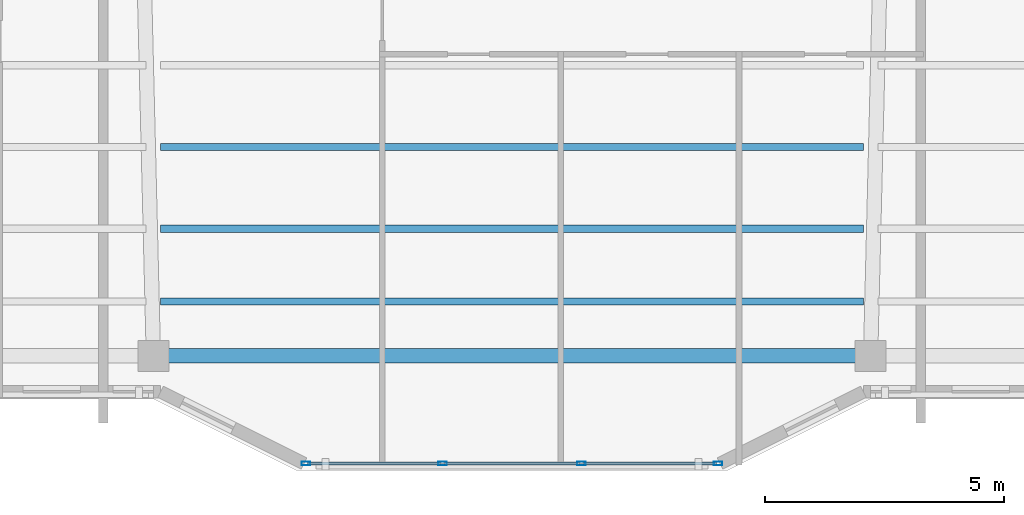
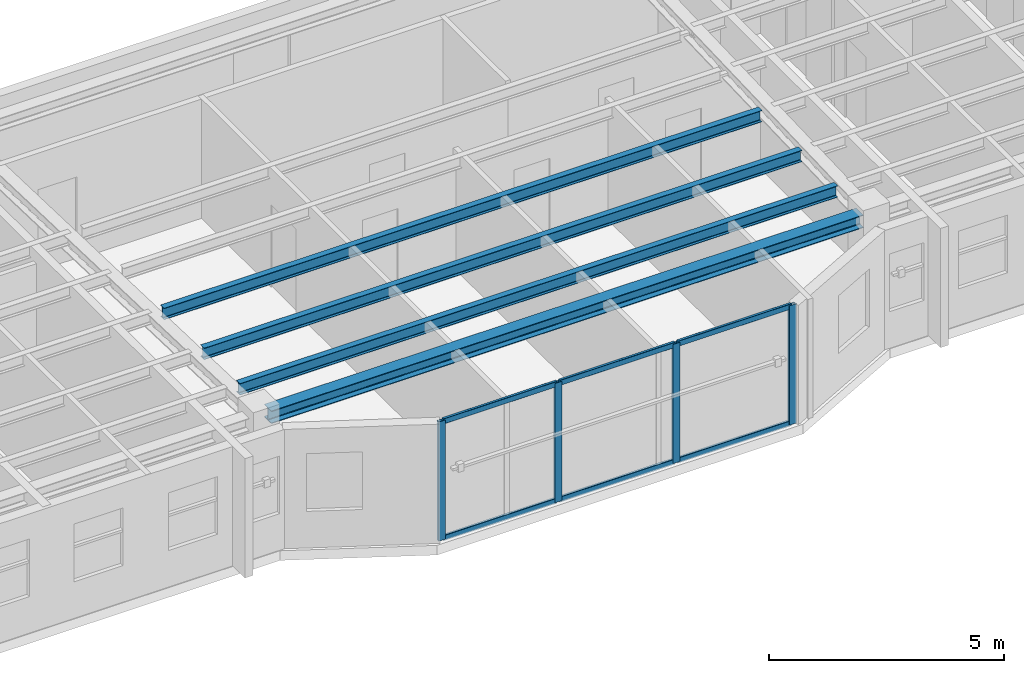
# One storey, part 2 of 14: 10 members, 4 beams, 1 element without a shape of its own.
"""IFC4 building model written with IfcOpenShell, lengths in metres."""

import ifcopenshell
import ifcopenshell.guid

model = None  # the IFC model being written
_history = None  # IfcOwnerHistory: only IFC2X3 demands one
_inside = {}  # id of a spatial element -> (the spatial element, [elements in it])
_under = {}  # id of a project, library or spatial element -> (it, [spatial elements below it])
_declared = {}  # id of a project -> (the project, [libraries it declares])
_typed = {}  # id of a type object -> (the type object, [elements of that type])
_made_of = {}  # id of a material, layer set ... -> (it, [elements and type objects made of it])


def new_model(schema):
    """Start an empty IFC model of exactly this schema.

    Asked for "IFC4X3", IfcOpenShell would pick the latest addendum, in which some entities
    have other attributes; the version numbers below select the first issue.
    IFC2X3 requires an IfcOwnerHistory on every rooted entity: one is made here for all.
    """
    global model, _history
    if schema == "IFC4X3":
        model = ifcopenshell.file(schema_version=(4, 3, 0, 0))
    else:
        model = ifcopenshell.file(schema=schema)
    _inside.clear()
    _under.clear()
    _declared.clear()
    _typed.clear()
    _made_of.clear()
    _history = None
    if model.schema == "IFC2X3":
        org = make("IfcOrganization", Name="unknown")
        user = make(
            "IfcPersonAndOrganization",
            ThePerson=make("IfcPerson", FamilyName="unknown"),
            TheOrganization=org,
        )
        app = make(
            "IfcApplication",
            ApplicationDeveloper=org,
            Version="unknown",
            ApplicationFullName="unknown",
            ApplicationIdentifier="unknown",
        )
        _history = make(
            "IfcOwnerHistory",
            OwningUser=user,
            OwningApplication=app,
            ChangeAction="ADDED",
            CreationDate=0,
        )
    return model


def make(cls, **values):
    """One entity of the class cls with the attributes given. An attribute that is None is left unset."""
    return model.create_entity(
        cls, **{name: value for name, value in values.items() if value is not None}
    )


def rooted(cls, **values):
    """An entity with a GlobalId (a new one), such as an element, a storey or a relation."""
    return make(cls, GlobalId=ifcopenshell.guid.new(), OwnerHistory=_history, **values)


def si_unit(unit_type, name, prefix=None):
    """IfcSIUnit, for example si_unit("LENGTHUNIT", "METRE", prefix="MILLI")."""
    return make("IfcSIUnit", UnitType=unit_type, Prefix=prefix, Name=name)


def assignment(units):
    """IfcUnitAssignment: the units of a project."""
    return None if units is None else make("IfcUnitAssignment", Units=units)


def point(xyz):
    """IfcCartesianPoint."""
    return None if xyz is None else make("IfcCartesianPoint", Coordinates=xyz)


def direction(xyz):
    """IfcDirection."""
    return None if xyz is None else make("IfcDirection", DirectionRatios=xyz)


def frame(location, z_axis=None, x_axis=None):
    """IfcAxis2Placement3D, a coordinate frame: its origin and axes. An axis left out is left unset."""
    return make(
        "IfcAxis2Placement3D",
        Location=point(location),
        Axis=direction(z_axis),
        RefDirection=direction(x_axis),
    )


def frame_2d(location, x_axis=None):
    """IfcAxis2Placement2D, a coordinate frame in the plane: its origin and x axis."""
    return make(
        "IfcAxis2Placement2D", Location=point(location), RefDirection=direction(x_axis)
    )


def origin():
    """The frame at (0, 0, 0) with its axes left unset."""
    return frame((0.0, 0.0, 0.0))


def origin_2d():
    """The frame at (0, 0) in the plane with its x axis left unset."""
    return frame_2d((0.0, 0.0))


def place(relative_to, where):
    """IfcLocalPlacement: puts the frame where relative to a parent placement (None: the world)."""
    return make(
        "IfcLocalPlacement", PlacementRelTo=relative_to, RelativePlacement=where
    )


def context(
    kind, dimensions, precision=None, world=None, true_north=None, identifier=None
):
    """IfcGeometricRepresentationContext, for example the 3D "Model" context."""
    return make(
        "IfcGeometricRepresentationContext",
        ContextIdentifier=identifier,
        ContextType=kind,
        CoordinateSpaceDimension=dimensions,
        Precision=precision,
        WorldCoordinateSystem=world,
        TrueNorth=true_north,
    )


def subcontext(parent, identifier, kind, view, scale=None):
    """IfcGeometricRepresentationSubContext, for example "Body" below "Model"."""
    return make(
        "IfcGeometricRepresentationSubContext",
        ContextIdentifier=identifier,
        ContextType=kind,
        ParentContext=parent,
        TargetScale=scale,
        TargetView=view,
    )


def project(units=None, contexts=None):
    """IfcProject with its units and contexts."""
    return rooted(
        "IfcProject",
        Name="project",
        RepresentationContexts=contexts,
        UnitsInContext=assignment(units),
    )


def spatial(cls, under=None, at=None, **own):
    """A site, building, storey or space (cls), placed at a placement, below another one or the project."""
    s = rooted(cls, ObjectPlacement=at, **own)
    if under is not None:
        _under.setdefault(under.id(), (under, []))[1].append(s)
    return s


def profile(cls, at=None, kind="AREA", **sizes):
    """A parametric profile (cls). Its sizes go by their IFC names, for example OverallWidth=200.0."""
    return make(cls, ProfileType=kind, Position=at, **sizes)


def hollow_rectangle(**sizes):
    """IfcRectangleHollowProfileDef."""
    return profile("IfcRectangleHollowProfileDef", **sizes)


def i_section(**sizes):
    """IfcIShapeProfileDef."""
    return profile("IfcIShapeProfileDef", **sizes)


def extrude(swept, where, along, depth):
    """IfcExtrudedAreaSolid: the profile swept, set in the frame where, extruded along a direction by depth."""
    return make(
        "IfcExtrudedAreaSolid",
        SweptArea=swept,
        Position=where,
        ExtrudedDirection=direction(along),
        Depth=depth,
    )


def shape(context_of_items, identifier, shape_type, items):
    """IfcShapeRepresentation: the items that make up one representation, for example the "Body"."""
    return make(
        "IfcShapeRepresentation",
        ContextOfItems=context_of_items,
        RepresentationIdentifier=identifier,
        RepresentationType=shape_type,
        Items=items,
    )


def material(Name=None, Category=None):
    """IfcMaterial."""
    return make("IfcMaterial", Name=Name, Category=Category)


def layer(
    of_material, thickness, ventilated=None, Name=None, Category=None, Priority=None
):
    """IfcMaterialLayer: one layer of a wall or slab, of a material (None: an air gap)."""
    return make(
        "IfcMaterialLayer",
        Material=of_material,
        LayerThickness=thickness,
        IsVentilated=ventilated,
        Name=Name,
        Category=Category,
        Priority=Priority,
    )


def layer_set(layers, Name=None):
    """IfcMaterialLayerSet."""
    return make("IfcMaterialLayerSet", MaterialLayers=layers, LayerSetName=Name)


def material_profile(
    of_material, cross_section, Name=None, Category=None, Priority=None
):
    """IfcMaterialProfile: a cross section and its material."""
    return make(
        "IfcMaterialProfile",
        Name=Name,
        Material=of_material,
        Profile=cross_section,
        Priority=Priority,
        Category=Category,
    )


def profile_set(profiles, Name=None, composite=None):
    """IfcMaterialProfileSet."""
    return make(
        "IfcMaterialProfileSet",
        Name=Name,
        MaterialProfiles=profiles,
        CompositeProfile=composite,
    )


def made_of(thing, what):
    """Note that an element or type object is made of a material, layer set ...; save() writes the relation."""
    if what is not None:
        _made_of.setdefault(what.id(), (what, []))[1].append(thing)
    return thing


def type_object(cls, material=None, **own):
    """A type object (cls), such as IfcWallType, which elements share."""
    return made_of(rooted(cls, **own), material)


def element(
    cls,
    number,
    at=None,
    inside=None,
    cuts=None,
    type_object=None,
    material=None,
    context=None,
    identifier="Body",
    shape_type=None,
    held_by="IfcProductDefinitionShape",
    body=None,
    shapes=None,
    **own,
):
    """One element of the class cls, such as IfcWall. Its Tag is "e" and its number.

    at: its placement. inside: the storey or other place that contains it. cuts: it is an
    opening in that element (IfcRelVoidsElement). A single representation is given by context,
    identifier, shape_type and body (its items); several are given by shapes. held_by: the class
    of the entity that holds the representations. save() writes the other relations.
    """
    e = rooted(cls, Tag="e%d" % number, ObjectPlacement=at, **own)
    if body is not None:
        shapes = [shape(context, identifier, shape_type, body)]
    if shapes is not None:
        e.Representation = make(held_by, Representations=shapes)
    if inside is not None:
        _inside.setdefault(inside.id(), (inside, []))[1].append(e)
    if cuts is not None:
        rooted(
            "IfcRelVoidsElement", RelatingBuildingElement=cuts, RelatedOpeningElement=e
        )
    if type_object is not None:
        _typed.setdefault(type_object.id(), (type_object, []))[1].append(e)
    return made_of(e, material)


def aggregate(whole, parts):
    """IfcRelAggregates: a whole, such as a stair, and the parts it consists of."""
    return rooted("IfcRelAggregates", RelatingObject=whole, RelatedObjects=parts)


def save(model, path):
    """Write the relations noted so far, then the file.

    IfcRelAggregates (storeys below a building ...), IfcRelContainedInSpatialStructure (elements
    in a storey), IfcRelDefinesByType, IfcRelAssociatesMaterial and IfcRelDeclares: one each for
    every whole, place, type object, material and project.
    """
    for whole, parts in _under.values():
        aggregate(whole, parts)
    for where, things in _inside.values():
        rooted(
            "IfcRelContainedInSpatialStructure",
            RelatedElements=things,
            RelatingStructure=where,
        )
    for kind, things in _typed.values():
        rooted("IfcRelDefinesByType", RelatedObjects=things, RelatingType=kind)
    for what, things in _made_of.values():
        rooted("IfcRelAssociatesMaterial", RelatedObjects=things, RelatingMaterial=what)
    for by, libraries in _declared.values():
        rooted("IfcRelDeclares", RelatingContext=by, RelatedDefinitions=libraries)
    model.write(path)


model = new_model("IFC4")

# Units and contexts
model_context = context("Model", 3, precision=1e-05, world=origin(), true_north=direction((0.0, 1.0)))
body_context = subcontext(model_context, "Body", "Model", "MODEL_VIEW")
ifc_project = project(units=[si_unit("LENGTHUNIT", "METRE"), si_unit("AREAUNIT", "SQUARE_METRE"), si_unit("VOLUMEUNIT", "CUBIC_METRE"), si_unit("PLANEANGLEUNIT", "RADIAN"), si_unit("MASSUNIT", "GRAM", prefix="KILO")], contexts=[model_context])

# Site, building, storey
site_placement = place(None, origin())
site = spatial("IfcSite", under=ifc_project, at=site_placement, CompositionType="ELEMENT")
building_placement = place(site_placement, origin())
building = spatial("IfcBuilding", under=site, at=building_placement, Name="Tarnavaz Court Tower", CompositionType="ELEMENT")
storey_placement = place(building_placement, frame((0.0, 0.0, 261.60009765625)))
storey = spatial("IfcBuildingStorey", under=building, at=storey_placement, Name="L71", CompositionType="ELEMENT", Elevation=261.60009765625)

# Beams
ifc_material_1 = material(Name="Steel S355", Category="steel")
ifc_material_profile_1 = material_profile(ifc_material_1, i_section(OverallWidth=0.14990234375, OverallDepth=0.300048828125, WebThickness=0.007080078125, FlangeThickness=0.0107421875, FilletRadius=0.014892578125, at=origin_2d()), Name="IPE 300")
ifc_profile_set_1 = profile_set([ifc_material_profile_1], Name="Steel S355")
beam_type_1 = type_object("IfcBeamType", Name="BM-J-IPE300", PredefinedType="JOIST", material=ifc_profile_set_1)
for number, where, z_axis, x_axis, name in (
    (1, (-7.35009765625, -15.72998046875, 2.949951171875), (1.0, 0.0, 0.0), (0.0, 1.0, 0.0), "L71 Beam JS3-2"),
    (2, (-7.35009765625, -17.43994140625, 2.949951171875), (1.0, 0.0, 0.0), (0.0, 1.0, 0.0), "L71 Beam JS4-2"),
    (3, (-7.35009765625, -18.9599609375, 2.949951171875), (1.0, 0.0, 0.0), (0.0, 1.0, 0.0), "L71 Beam JS5-2"),
):
    element("IfcBeam", number, at=place(storey_placement, frame(where, z_axis=z_axis, x_axis=x_axis)), inside=storey, type_object=beam_type_1, Name=name, PredefinedType="JOIST", context=body_context, shape_type="SweptSolid", body=[
        extrude(i_section(OverallWidth=0.14990234375, OverallDepth=0.300048828125, WebThickness=0.007080078125, FlangeThickness=0.0107421875, FilletRadius=0.014892578125, at=origin_2d()), origin(), (0.0, 0.0, 1.0), 14.7001953125),
    ])
ifc_material_profile_2 = material_profile(ifc_material_1, i_section(OverallWidth=0.300048828125, OverallDepth=0.330078125, WebThickness=0.009521484375, FlangeThickness=0.0166015625, FilletRadius=0.027099609375, at=origin_2d()), Name="HEA 340")
ifc_profile_set_2 = profile_set([ifc_material_profile_2], Name="Steel S355")
beam_type_2 = type_object("IfcBeamType", Name="BM-SP-HEA340", PredefinedType="BEAM", material=ifc_profile_set_2)
beam_placement = place(storey_placement, frame((-7.280029296875, -20.10009765625, 2.934814453125), z_axis=(1.0, 0.0, 0.0), x_axis=(0.0, 1.0, 0.0)))
element("IfcBeam", 4, at=beam_placement, inside=storey, type_object=beam_type_2, Name="L71 Beam PR-PS-2-PS-3", PredefinedType="BEAM", context=body_context, shape_type="SweptSolid", body=[
    extrude(i_section(OverallWidth=0.300048828125, OverallDepth=0.330078125, WebThickness=0.009521484375, FlangeThickness=0.0166015625, FilletRadius=0.027099609375, at=origin_2d()), origin(), (0.0, 0.0, 1.0), 14.56005859375),
])

# Curtain wall, members
ifc_material_2 = material(Name="Anodised Aluminium 6063-T6 and Solar Low-E Glazing", Category="aluminium")
ifc_layer = layer(ifc_material_2, 0.159912109375)
ifc_layer_set = layer_set([ifc_layer], Name="Anodised Aluminium 6063-T6 and Solar Low-E Glazing")
curtain_wall_type = type_object("IfcCurtainWallType", Name="CW-SYS-03", PredefinedType="NOTDEFINED", material=ifc_layer_set)
curtain_wall_placement = place(storey_placement, origin())
curtain_wall = element("IfcCurtainWall", 5, at=curtain_wall_placement, inside=storey, type_object=curtain_wall_type, Name="L71 Iwan Prow Curtain Wall 17", PredefinedType="NOTDEFINED")
ifc_material_3 = material(Name="Anodised Aluminium 6063-T6", Category="aluminium")
ifc_material_profile_3 = material_profile(ifc_material_3, hollow_rectangle(XDim=0.074951171875, YDim=0.179931640625, WallThickness=0.0048828125, InnerFilletRadius=0.0048828125, OuterFilletRadius=0.010009765625, at=origin_2d()), Name="ALU RHS 180X75X5")
ifc_profile_set_3 = profile_set([ifc_material_profile_3], Name="Anodised Aluminium 6063-T6")
member_type_1 = type_object("IfcMemberType", Name="CW-MUL-180", PredefinedType="MULLION", material=ifc_profile_set_3)
member_1_placement = place(storey_placement, frame((4.3125, -22.35009765625, 0.0), z_axis=(0.0, 0.0, 1.0), x_axis=(0.0, -1.0, 0.0)))
member_1 = element("IfcMember", 6, at=member_1_placement, type_object=member_type_1, Name="CW mullion 1", PredefinedType="MULLION", context=body_context, shape_type="SweptSolid", body=[
    extrude(hollow_rectangle(XDim=0.074951171875, YDim=0.179931640625, WallThickness=0.0048828125, InnerFilletRadius=0.0048828125, OuterFilletRadius=0.010009765625, at=origin_2d()), origin(), (0.0, 0.0, 1.0), 3.099853515625),
])
member_2_placement = place(storey_placement, frame((1.449951171875, -22.35009765625, 0.0), z_axis=(0.0, 0.0, 1.0), x_axis=(0.0, -1.0, 0.0)))
member_2 = element("IfcMember", 7, at=member_2_placement, type_object=member_type_1, Name="CW mullion 2", PredefinedType="MULLION", context=body_context, shape_type="SweptSolid", body=[
    extrude(hollow_rectangle(XDim=0.074951171875, YDim=0.179931640625, WallThickness=0.0048828125, InnerFilletRadius=0.0048828125, OuterFilletRadius=0.010009765625, at=origin_2d()), origin(), (0.0, 0.0, 1.0), 3.099853515625),
])
member_3_placement = place(storey_placement, frame((-1.449951171875, -22.35009765625, 0.0), z_axis=(0.0, 0.0, 1.0), x_axis=(0.0, -1.0, 0.0)))
member_3 = element("IfcMember", 8, at=member_3_placement, type_object=member_type_1, Name="CW mullion 3", PredefinedType="MULLION", context=body_context, shape_type="SweptSolid", body=[
    extrude(hollow_rectangle(XDim=0.074951171875, YDim=0.179931640625, WallThickness=0.0048828125, InnerFilletRadius=0.0048828125, OuterFilletRadius=0.010009765625, at=origin_2d()), origin(), (0.0, 0.0, 1.0), 3.099853515625),
])
member_4_placement = place(storey_placement, frame((-4.3125, -22.35009765625, 0.0), z_axis=(0.0, 0.0, 1.0), x_axis=(0.0, -1.0, 0.0)))
member_4 = element("IfcMember", 9, at=member_4_placement, type_object=member_type_1, Name="CW mullion 4", PredefinedType="MULLION", context=body_context, shape_type="SweptSolid", body=[
    extrude(hollow_rectangle(XDim=0.074951171875, YDim=0.179931640625, WallThickness=0.0048828125, InnerFilletRadius=0.0048828125, OuterFilletRadius=0.010009765625, at=origin_2d()), origin(), (0.0, 0.0, 1.0), 3.099853515625),
])
ifc_material_profile_4 = material_profile(ifc_material_3, hollow_rectangle(XDim=0.06494140625, YDim=0.139892578125, WallThickness=0.00390625, InnerFilletRadius=0.00390625, OuterFilletRadius=0.008056640625, at=origin_2d()), Name="ALU RHS 140X65X4")
ifc_profile_set_4 = profile_set([ifc_material_profile_4], Name="Anodised Aluminium 6063-T6")
member_type_2 = type_object("IfcMemberType", Name="CW-TRN-140", PredefinedType="USERDEFINED", material=ifc_profile_set_4)
member_5_placement = place(storey_placement, frame((4.27490234375, -22.35009765625, 0.032470703125), z_axis=(-1.0, 0.0, 0.0), x_axis=(0.0, -1.0, 0.0)))
member_5 = element("IfcMember", 10, at=member_5_placement, type_object=member_type_2, Name="CW transom 1.1", ObjectType="TRANSOM", PredefinedType="USERDEFINED", context=body_context, shape_type="SweptSolid", body=[
    extrude(hollow_rectangle(XDim=0.06494140625, YDim=0.139892578125, WallThickness=0.00390625, InnerFilletRadius=0.00390625, OuterFilletRadius=0.008056640625, at=origin_2d()), origin(), (0.0, 0.0, 1.0), 2.787353515625),
])
member_6_placement = place(storey_placement, frame((4.27490234375, -22.35009765625, 3.0673828125), z_axis=(-1.0, 0.0, 0.0), x_axis=(0.0, -1.0, 0.0)))
member_6 = element("IfcMember", 11, at=member_6_placement, type_object=member_type_2, Name="CW transom 1.2", ObjectType="TRANSOM", PredefinedType="USERDEFINED", context=body_context, shape_type="SweptSolid", body=[
    extrude(hollow_rectangle(XDim=0.06494140625, YDim=0.139892578125, WallThickness=0.00390625, InnerFilletRadius=0.00390625, OuterFilletRadius=0.008056640625, at=origin_2d()), origin(), (0.0, 0.0, 1.0), 2.787353515625),
])
member_7_placement = place(storey_placement, frame((1.41259765625, -22.35009765625, 0.032470703125), z_axis=(-1.0, 0.0, 0.0), x_axis=(0.0, -1.0, 0.0)))
member_7 = element("IfcMember", 12, at=member_7_placement, type_object=member_type_2, Name="CW transom 2.1", ObjectType="TRANSOM", PredefinedType="USERDEFINED", context=body_context, shape_type="SweptSolid", body=[
    extrude(hollow_rectangle(XDim=0.06494140625, YDim=0.139892578125, WallThickness=0.00390625, InnerFilletRadius=0.00390625, OuterFilletRadius=0.008056640625, at=origin_2d()), origin(), (0.0, 0.0, 1.0), 2.8251953125),
])
member_8_placement = place(storey_placement, frame((1.41259765625, -22.35009765625, 3.0673828125), z_axis=(-1.0, 0.0, 0.0), x_axis=(0.0, -1.0, 0.0)))
member_8 = element("IfcMember", 13, at=member_8_placement, type_object=member_type_2, Name="CW transom 2.2", ObjectType="TRANSOM", PredefinedType="USERDEFINED", context=body_context, shape_type="SweptSolid", body=[
    extrude(hollow_rectangle(XDim=0.06494140625, YDim=0.139892578125, WallThickness=0.00390625, InnerFilletRadius=0.00390625, OuterFilletRadius=0.008056640625, at=origin_2d()), origin(), (0.0, 0.0, 1.0), 2.8251953125),
])
member_9_placement = place(storey_placement, frame((-1.487548828125, -22.35009765625, 0.032470703125), z_axis=(-1.0, 0.0, 0.0), x_axis=(0.0, -1.0, 0.0)))
member_9 = element("IfcMember", 14, at=member_9_placement, type_object=member_type_2, Name="CW transom 3.1", ObjectType="TRANSOM", PredefinedType="USERDEFINED", context=body_context, shape_type="SweptSolid", body=[
    extrude(hollow_rectangle(XDim=0.06494140625, YDim=0.139892578125, WallThickness=0.00390625, InnerFilletRadius=0.00390625, OuterFilletRadius=0.008056640625, at=origin_2d()), origin(), (0.0, 0.0, 1.0), 2.787353515625),
])
member_10_placement = place(storey_placement, frame((-1.487548828125, -22.35009765625, 3.0673828125), z_axis=(-1.0, 0.0, 0.0), x_axis=(0.0, -1.0, 0.0)))
member_10 = element("IfcMember", 15, at=member_10_placement, type_object=member_type_2, Name="CW transom 3.2", ObjectType="TRANSOM", PredefinedType="USERDEFINED", context=body_context, shape_type="SweptSolid", body=[
    extrude(hollow_rectangle(XDim=0.06494140625, YDim=0.139892578125, WallThickness=0.00390625, InnerFilletRadius=0.00390625, OuterFilletRadius=0.008056640625, at=origin_2d()), origin(), (0.0, 0.0, 1.0), 2.787353515625),
])
aggregate(curtain_wall, [member_1, member_2, member_3, member_4, member_5, member_6, member_7, member_8, member_9, member_10])

save(model, "model.ifc")
